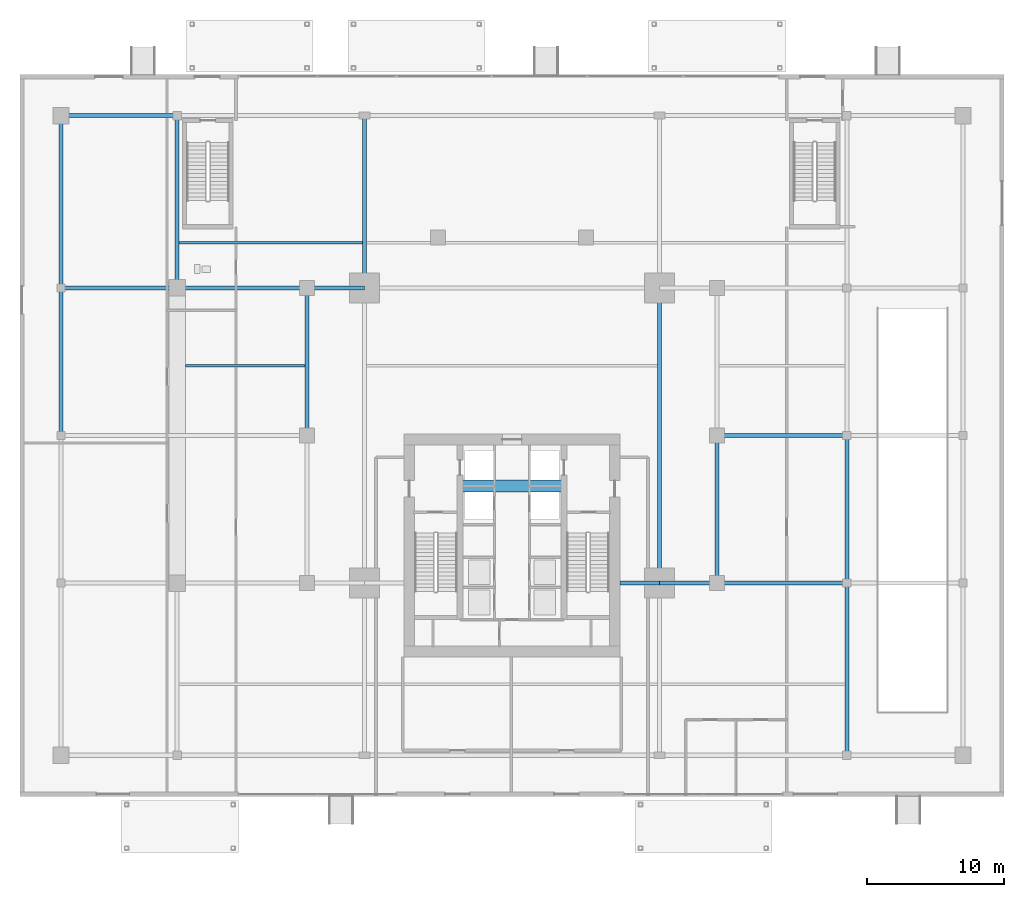
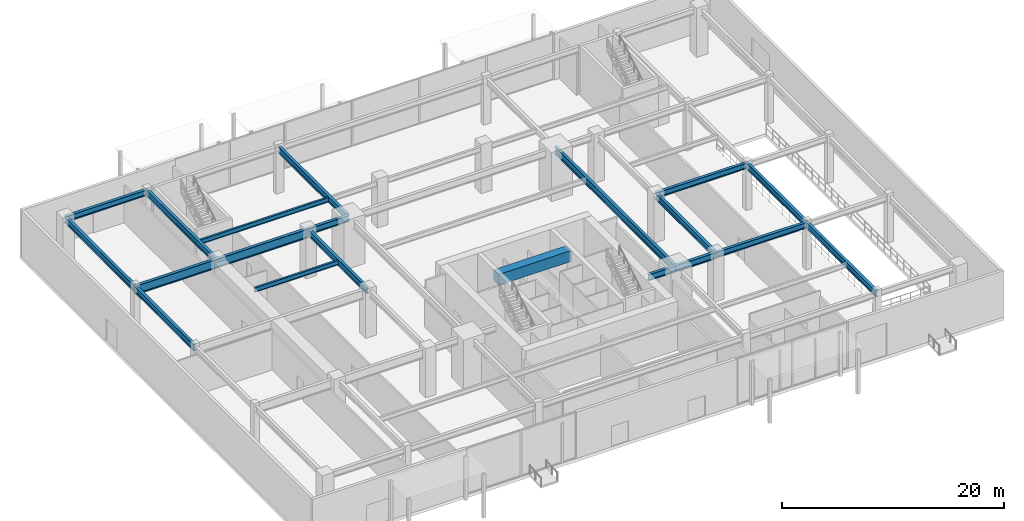
# One storey, part 13 of 28: 19 beams.
"""IFC4 building model written with IfcOpenShell, lengths in metres."""

from ifc_helpers import new_model, si_unit, direction, frame, origin, origin_2d, place, context, subcontext, project, spatial, rectangle, i_section, extrude, source, transform, mapped, material, material_profile, profile_set, type_object, type_shapes, element, save


model = new_model("IFC4")

# Units and contexts
model_context = context("Model", 3, precision=1e-05, world=origin(), true_north=direction((0.0, 1.0)))
body_context = subcontext(model_context, "Body", "Model", "MODEL_VIEW")
ifc_project = project(units=[si_unit("LENGTHUNIT", "METRE"), si_unit("AREAUNIT", "SQUARE_METRE"), si_unit("VOLUMEUNIT", "CUBIC_METRE"), si_unit("PLANEANGLEUNIT", "RADIAN"), si_unit("MASSUNIT", "GRAM", prefix="KILO")], contexts=[model_context])

# Site, building, storey
site_placement = place(None, origin())
site = spatial("IfcSite", under=ifc_project, at=site_placement, CompositionType="ELEMENT")
building_placement = place(site_placement, origin())
building = spatial("IfcBuilding", under=site, at=building_placement, Name="Krantzveldt Concourse Tower", CompositionType="ELEMENT")
storey_placement = place(building_placement, origin())
storey = spatial("IfcBuildingStorey", under=building, at=storey_placement, Name="L00", CompositionType="ELEMENT", Elevation=0.0)

# Beams
ifc_material_1 = material(Name="Concrete C50/60", Category="concrete")
ifc_material_profile_1 = material_profile(ifc_material_1, rectangle(XDim=0.89990234375, YDim=1.199951171875, at=origin_2d()), Name="Concrete C50/60", Category="concrete")
ifc_profile_set_1 = profile_set([ifc_material_profile_1], Name="Concrete C50/60 - RC-CB 900x1200")
beam_type_1 = type_object("IfcBeamType", Name="BM-CB-1200", PredefinedType="LINTEL", material=ifc_profile_set_1)
shared_shape_1 = source(origin(), body_context, "Body", "SweptSolid", [
    extrude(rectangle(XDim=0.89990234375, YDim=1.199951171875, at=origin_2d()), origin(), (0.0, 0.0, 1.0), 7.580078125),
])
type_shapes(beam_type_1, [shared_shape_1])
beam_1_placement = place(storey_placement, frame((32.2099609375, 23.0, 4.5), z_axis=(1.0, 0.0, 0.0), x_axis=(0.0, 1.0, 0.0)))
element("IfcBeam", 1, at=beam_1_placement, inside=storey, type_object=beam_type_1, Name="CB-L00-01", PredefinedType="LINTEL", context=body_context, shape_type="MappedRepresentation", body=[
    mapped(shared_shape_1, transform((0.0, 0.0, 0.0), x_axis=(1.0, 0.0, 0.0), y_axis=(0.0, 1.0, 0.0), z_axis=(0.0, 0.0, 1.0), scale=1.0)),
])
ifc_material_2 = material(Name="Steel S355J2", Category="steel")
ifc_material_profile_2 = material_profile(ifc_material_2, i_section(OverallWidth=0.300048828125, OverallDepth=0.800048828125, WebThickness=0.017578125, FlangeThickness=0.032958984375, FilletRadius=0.030029296875, at=origin_2d()), Name="Steel S355J2", Category="steel")
ifc_profile_set_2 = profile_set([ifc_material_profile_2], Name="Steel S355J2 - HEB 800")
beam_type_2 = type_object("IfcBeamType", Name="BM-B-HEB800", PredefinedType="BEAM", material=ifc_profile_set_2)
shared_shape_2 = source(origin(), body_context, "Body", "SweptSolid", [
    extrude(i_section(OverallWidth=0.300048828125, OverallDepth=0.800048828125, WebThickness=0.017578125, FlangeThickness=0.032958984375, FilletRadius=0.030029296875, at=origin_2d()), origin(), (0.0, 0.0, 1.0), 21.60009765625),
])
type_shapes(beam_type_2, [shared_shape_2])
beam_2_placement = place(storey_placement, frame((46.800048828125, 15.89990234375, 4.699951171875), z_axis=(0.0, 1.0, 0.0), x_axis=(-1.0, 0.0, 0.0)))
element("IfcBeam", 2, at=beam_2_placement, inside=storey, type_object=beam_type_2, Name="L00 Podium Primary Girder BG-ME", PredefinedType="BEAM", context=body_context, shape_type="MappedRepresentation", body=[
    mapped(shared_shape_2, transform((0.0, 0.0, 0.0), x_axis=(1.0, 0.0, 0.0), y_axis=(0.0, 1.0, 0.0), z_axis=(0.0, 0.0, 1.0), scale=1.0)),
])
ifc_material_3 = material(Name="Steel S355JR", Category="steel")
ifc_material_profile_3 = material_profile(ifc_material_3, i_section(OverallWidth=0.300048828125, OverallDepth=0.68994140625, WebThickness=0.014404296875, FlangeThickness=0.027099609375, FilletRadius=0.027099609375, at=origin_2d()), Name="Steel S355JR", Category="steel")
ifc_profile_set_3 = profile_set([ifc_material_profile_3], Name="Steel S355JR - HEA 700")
beam_type_3 = type_object("IfcBeamType", Name="BM-B-HEA700", PredefinedType="BEAM", material=ifc_profile_set_3)
shared_shape_3 = source(origin(), body_context, "Body", "SweptSolid", [
    extrude(i_section(OverallWidth=0.300048828125, OverallDepth=0.68994140625, WebThickness=0.014404296875, FlangeThickness=0.027099609375, FilletRadius=0.027099609375, at=origin_2d()), origin(), (0.0, 0.0, 1.0), 10.800048828125),
])
for number, where, z_axis, x_axis, name in (
    (3, (21.0, 26.699951171875, 4.7548828125), (0.0, 1.0, 0.0), (-1.0, 0.0, 0.0), "L00 Podium Primary Girder BG-RW2"),
    (4, (51.0, 15.89990234375, 4.7548828125), (0.0, 1.0, 0.0), (-1.0, 0.0, 0.0), "L00 Podium Primary Girder BG-RE1"),
    (5, (60.5, 15.89990234375, 4.7548828125), (0.0, 1.0, 0.0), (-1.0, 0.0, 0.0), "L00 Podium Primary Girder BG-IE-2"),
    (6, (3.0, 26.699951171875, 4.7548828125), (0.0, 1.0, 0.0), (-1.0, 0.0, 0.0), "L00 Podium Primary Girder BG-OW3"),
):
    element("IfcBeam", number, at=place(storey_placement, frame(where, z_axis=z_axis, x_axis=x_axis)), inside=storey, type_object=beam_type_3, Name=name, PredefinedType="BEAM", context=body_context, shape_type="MappedRepresentation", body=[
        mapped(shared_shape_3, transform((0.0, 0.0, 0.0), x_axis=(1.0, 0.0, 0.0), y_axis=(0.0, 1.0, 0.0), z_axis=(0.0, 0.0, 1.0), scale=1.0)),
    ])
ifc_material_profile_4 = material_profile(ifc_material_2, i_section(OverallWidth=0.300048828125, OverallDepth=0.699951171875, WebThickness=0.01708984375, FlangeThickness=0.031982421875, FilletRadius=0.027099609375, at=origin_2d()), Name="Steel S355J2", Category="steel")
ifc_profile_set_4 = profile_set([ifc_material_profile_4], Name="Steel S355J2 - HEB 700")
beam_type_4 = type_object("IfcBeamType", Name="BM-B-HEB700", PredefinedType="BEAM", material=ifc_profile_set_4)
shared_shape_4 = source(origin(), body_context, "Body", "SweptSolid", [
    extrude(i_section(OverallWidth=0.300048828125, OverallDepth=0.699951171875, WebThickness=0.01708984375, FlangeThickness=0.031982421875, FilletRadius=0.027099609375, at=origin_2d()), origin(), (0.0, 0.0, 1.0), 4.199951171875),
])
for number, where, z_axis, x_axis, name in (
    (7, (21.0, 37.5, 4.75), (1.0, 0.0, 0.0), (0.0, 1.0, 0.0), "L00 Podium Primary Girder BG-RL3"),
    (8, (46.800048828125, 15.89990234375, 4.75), (1.0, 0.0, 0.0), (0.0, 1.0, 0.0), "L00 Podium Primary Girder BG-RR1"),
):
    element("IfcBeam", number, at=place(storey_placement, frame(where, z_axis=z_axis, x_axis=x_axis)), inside=storey, type_object=beam_type_4, Name=name, PredefinedType="BEAM", context=body_context, shape_type="MappedRepresentation", body=[
        mapped(shared_shape_4, transform((0.0, 0.0, 0.0), x_axis=(1.0, 0.0, 0.0), y_axis=(0.0, 1.0, 0.0), z_axis=(0.0, 0.0, 1.0), scale=1.0)),
    ])
shared_shape_5 = source(origin(), body_context, "Body", "SweptSolid", [
    extrude(i_section(OverallWidth=0.300048828125, OverallDepth=0.699951171875, WebThickness=0.01708984375, FlangeThickness=0.031982421875, FilletRadius=0.027099609375, at=origin_2d()), origin(), (0.0, 0.0, 1.0), 2.880126953125),
])
type_shapes(beam_type_4, [shared_shape_4, shared_shape_5])
beam_3_placement = place(storey_placement, frame((43.919921875, 15.89990234375, 4.75), z_axis=(1.0, 0.0, 0.0), x_axis=(0.0, 1.0, 0.0)))
element("IfcBeam", 9, at=beam_3_placement, inside=storey, type_object=beam_type_4, Name="L00 Podium Primary Girder BG-CE", PredefinedType="BEAM", context=body_context, shape_type="MappedRepresentation", body=[
    mapped(shared_shape_5, transform((0.0, 0.0, 0.0), x_axis=(1.0, 0.0, 0.0), y_axis=(0.0, 1.0, 0.0), z_axis=(0.0, 0.0, 1.0), scale=1.0)),
])
shared_shape_6 = source(origin(), body_context, "Body", "SweptSolid", [
    extrude(i_section(OverallWidth=0.300048828125, OverallDepth=0.68994140625, WebThickness=0.014404296875, FlangeThickness=0.027099609375, FilletRadius=0.027099609375, at=origin_2d()), origin(), (0.0, 0.0, 1.0), 12.60009765625),
])
for number, where, z_axis, x_axis, name in (
    (10, (25.199951171875, 37.5, 4.7548828125), (0.0, 1.0, 0.0), (-1.0, 0.0, 0.0), "L00 Podium Primary Girder BG-PN1"),
    (11, (11.5, 37.5, 4.7548828125), (0.0, 1.0, 0.0), (-1.0, 0.0, 0.0), "L00 Podium Primary Girder BG-IW-3"),
    (12, (3.0, 37.5, 4.7548828125), (0.0, 1.0, 0.0), (-1.0, 0.0, 0.0), "L00 Podium Primary Girder BG-OW4"),
):
    element("IfcBeam", number, at=place(storey_placement, frame(where, z_axis=z_axis, x_axis=x_axis)), inside=storey, type_object=beam_type_3, Name=name, PredefinedType="BEAM", context=body_context, shape_type="MappedRepresentation", body=[
        mapped(shared_shape_6, transform((0.0, 0.0, 0.0), x_axis=(1.0, 0.0, 0.0), y_axis=(0.0, 1.0, 0.0), z_axis=(0.0, 0.0, 1.0), scale=1.0)),
    ])
shared_shape_7 = source(origin(), body_context, "Body", "SweptSolid", [
    extrude(i_section(OverallWidth=0.300048828125, OverallDepth=0.68994140625, WebThickness=0.014404296875, FlangeThickness=0.027099609375, FilletRadius=0.027099609375, at=origin_2d()), origin(), (0.0, 0.0, 1.0), 12.599853515625),
])
type_shapes(beam_type_3, [shared_shape_3, shared_shape_6, shared_shape_7])
beam_4_placement = place(storey_placement, frame((60.5, 3.300048828125, 4.7548828125), z_axis=(0.0, 1.0, 0.0), x_axis=(-1.0, 0.0, 0.0)))
element("IfcBeam", 13, at=beam_4_placement, inside=storey, type_object=beam_type_3, Name="L00 Podium Primary Girder BG-IE-1", PredefinedType="BEAM", context=body_context, shape_type="MappedRepresentation", body=[
    mapped(shared_shape_7, transform((0.0, 0.0, 0.0), x_axis=(1.0, 0.0, 0.0), y_axis=(0.0, 1.0, 0.0), z_axis=(0.0, 0.0, 1.0), scale=1.0)),
])
ifc_material_profile_5 = material_profile(ifc_material_3, i_section(OverallWidth=0.300048828125, OverallDepth=0.639892578125, WebThickness=0.013427734375, FlangeThickness=0.02587890625, FilletRadius=0.027099609375, at=origin_2d()), Name="Steel S355JR", Category="steel")
ifc_profile_set_5 = profile_set([ifc_material_profile_5], Name="Steel S355JR - HEA 650")
beam_type_5 = type_object("IfcBeamType", Name="BM-B-HEA650", PredefinedType="BEAM", material=ifc_profile_set_5)
shared_shape_8 = source(origin(), body_context, "Body", "SweptSolid", [
    extrude(i_section(OverallWidth=0.300048828125, OverallDepth=0.639892578125, WebThickness=0.013427734375, FlangeThickness=0.02587890625, FilletRadius=0.027099609375, at=origin_2d()), origin(), (0.0, 0.0, 1.0), 9.5),
])
for number, where, z_axis, x_axis, name in (
    (14, (51.0, 15.89990234375, 4.780029296875), (1.0, 0.0, 0.0), (0.0, 1.0, 0.0), "L00 Podium Primary Girder BG-ME1"),
    (15, (51.0, 26.699951171875, 4.780029296875), (1.0, 0.0, 0.0), (0.0, 1.0, 0.0), "L00 Podium Primary Girder BG-ME2"),
):
    element("IfcBeam", number, at=place(storey_placement, frame(where, z_axis=z_axis, x_axis=x_axis)), inside=storey, type_object=beam_type_5, Name=name, PredefinedType="BEAM", context=body_context, shape_type="MappedRepresentation", body=[
        mapped(shared_shape_8, transform((0.0, 0.0, 0.0), x_axis=(1.0, 0.0, 0.0), y_axis=(0.0, 1.0, 0.0), z_axis=(0.0, 0.0, 1.0), scale=1.0)),
    ])
shared_shape_9 = source(origin(), body_context, "Body", "SweptSolid", [
    extrude(i_section(OverallWidth=0.300048828125, OverallDepth=0.639892578125, WebThickness=0.013427734375, FlangeThickness=0.02587890625, FilletRadius=0.027099609375, at=origin_2d()), origin(), (0.0, 0.0, 1.0), 8.5),
])
type_shapes(beam_type_5, [shared_shape_8, shared_shape_9])
beam_5_placement = place(storey_placement, frame((3.0, 50.10009765625, 4.780029296875), z_axis=(1.0, 0.0, 0.0), x_axis=(0.0, 1.0, 0.0)))
element("IfcBeam", 16, at=beam_5_placement, inside=storey, type_object=beam_type_5, Name="L00 Podium Primary Girder BG-OWN", PredefinedType="BEAM", context=body_context, shape_type="MappedRepresentation", body=[
    mapped(shared_shape_9, transform((0.0, 0.0, 0.0), x_axis=(1.0, 0.0, 0.0), y_axis=(0.0, 1.0, 0.0), z_axis=(0.0, 0.0, 1.0), scale=1.0)),
])
ifc_material_profile_6 = material_profile(ifc_material_2, i_section(OverallWidth=0.300048828125, OverallDepth=1.0, WebThickness=0.01904296875, FlangeThickness=0.035888671875, FilletRadius=0.030029296875, at=origin_2d()), Name="Steel S355J2", Category="steel")
ifc_profile_set_6 = profile_set([ifc_material_profile_6], Name="Steel S355J2 - HEB 1000")
beam_type_6 = type_object("IfcBeamType", Name="BM-B-HEB1000", PredefinedType="BEAM", material=ifc_profile_set_6)
shared_shape_10 = source(origin(), body_context, "Body", "SweptSolid", [
    extrude(i_section(OverallWidth=0.300048828125, OverallDepth=1.0, WebThickness=0.01904296875, FlangeThickness=0.035888671875, FilletRadius=0.030029296875, at=origin_2d()), origin(), (0.0, 0.0, 1.0), 18.0),
])
type_shapes(beam_type_6, [shared_shape_10])
beam_6_placement = place(storey_placement, frame((3.0, 37.5, 4.60009765625), z_axis=(1.0, 0.0, 0.0), x_axis=(0.0, 1.0, 0.0)))
element("IfcBeam", 17, at=beam_6_placement, inside=storey, type_object=beam_type_6, Name="L00 Podium Primary Girder BG-AUD-3", PredefinedType="BEAM", context=body_context, shape_type="MappedRepresentation", body=[
    mapped(shared_shape_10, transform((0.0, 0.0, 0.0), x_axis=(1.0, 0.0, 0.0), y_axis=(0.0, 1.0, 0.0), z_axis=(0.0, 0.0, 1.0), scale=1.0)),
])
ifc_material_profile_7 = material_profile(ifc_material_3, i_section(OverallWidth=0.199951171875, OverallDepth=0.5, WebThickness=0.01025390625, FlangeThickness=0.01611328125, FilletRadius=0.02099609375, at=origin_2d()), Name="Steel S355JR", Category="steel")
ifc_profile_set_7 = profile_set([ifc_material_profile_7], Name="Steel S355JR - IPE 500")
beam_type_7 = type_object("IfcBeamType", Name="BM-J-IPE500", PredefinedType="JOIST", material=ifc_profile_set_7)
shared_shape_11 = source(origin(), body_context, "Body", "SweptSolid", [
    extrude(i_section(OverallWidth=0.199951171875, OverallDepth=0.5, WebThickness=0.01025390625, FlangeThickness=0.01611328125, FilletRadius=0.02099609375, at=origin_2d()), origin(), (0.0, 0.0, 1.0), 13.400146484375),
])
beam_7_placement = place(storey_placement, frame((11.64990234375, 40.800048828125, 4.85009765625), z_axis=(1.0, 0.0, 0.0), x_axis=(0.0, 1.0, 0.0)))
element("IfcBeam", 18, at=beam_7_placement, inside=storey, type_object=beam_type_7, Name="L00 West Inner Joist 3", PredefinedType="JOIST", context=body_context, shape_type="MappedRepresentation", body=[
    mapped(shared_shape_11, transform((0.0, 0.0, 0.0), x_axis=(1.0, 0.0, 0.0), y_axis=(0.0, 1.0, 0.0), z_axis=(0.0, 0.0, 1.0), scale=1.0)),
])
shared_shape_12 = source(origin(), body_context, "Body", "SweptSolid", [
    extrude(i_section(OverallWidth=0.199951171875, OverallDepth=0.5, WebThickness=0.01025390625, FlangeThickness=0.01611328125, FilletRadius=0.02099609375, at=origin_2d()), origin(), (0.0, 0.0, 1.0), 8.75),
])
type_shapes(beam_type_7, [shared_shape_11, shared_shape_12])
beam_8_placement = place(storey_placement, frame((12.10009765625, 31.800048828125, 4.85009765625), z_axis=(1.0, 0.0, 0.0), x_axis=(0.0, 1.0, 0.0)))
element("IfcBeam", 19, at=beam_8_placement, inside=storey, type_object=beam_type_7, Name="L00 West Inner Joist 2", PredefinedType="JOIST", context=body_context, shape_type="MappedRepresentation", body=[
    mapped(shared_shape_12, transform((0.0, 0.0, 0.0), x_axis=(1.0, 0.0, 0.0), y_axis=(0.0, 1.0, 0.0), z_axis=(0.0, 0.0, 1.0), scale=1.0)),
])

save(model, "model.ifc")
